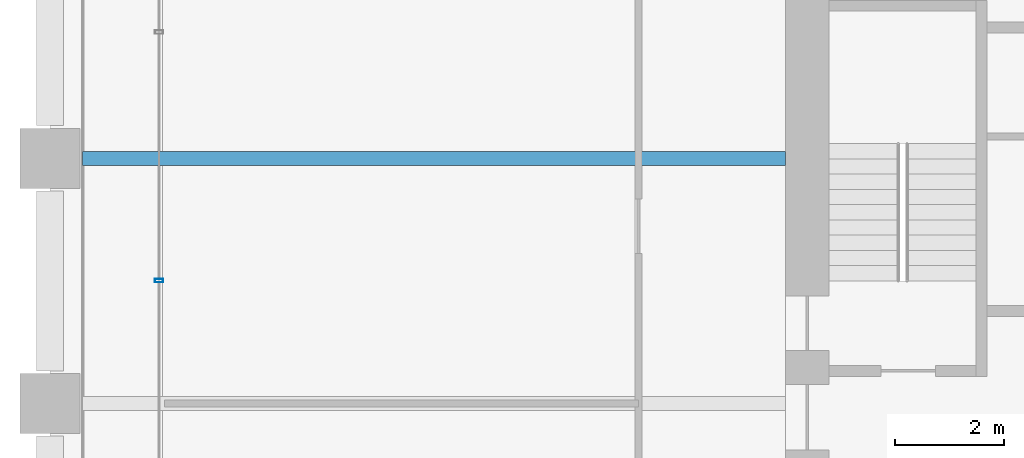
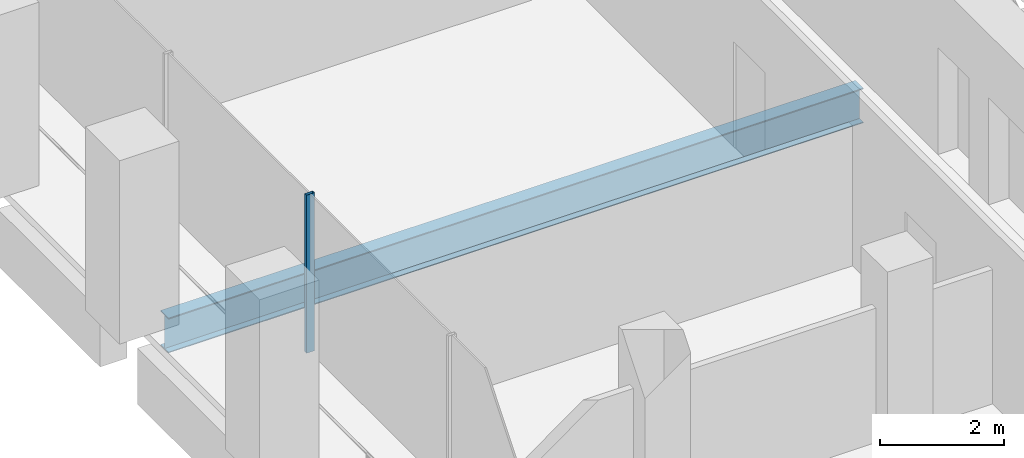
# One storey, part 11 of 55: 1 beam, 1 member, 1 element without a shape of its own.
"""IFC4 building model written with IfcOpenShell, lengths in metres."""

from ifc_helpers import new_model, si_unit, direction, frame, origin, origin_2d, place, context, subcontext, project, spatial, hollow_rectangle, i_section, extrude, material, material_profile, profile_set, type_object, element, aggregate, save


model = new_model("IFC4")

# Units and contexts
model_context = context("Model", 3, precision=1e-05, world=origin(), true_north=direction((0.0, 1.0)))
body_context = subcontext(model_context, "Body", "Model", "MODEL_VIEW")
ifc_project = project(units=[si_unit("LENGTHUNIT", "METRE"), si_unit("AREAUNIT", "SQUARE_METRE"), si_unit("VOLUMEUNIT", "CUBIC_METRE"), si_unit("PLANEANGLEUNIT", "RADIAN"), si_unit("MASSUNIT", "GRAM", prefix="KILO")], contexts=[model_context])

# Site, building, storey
site_placement = place(None, origin())
site = spatial("IfcSite", under=ifc_project, at=site_placement, CompositionType="ELEMENT")
building_placement = place(site_placement, origin())
building = spatial("IfcBuilding", under=site, at=building_placement, Name="Altepetl Exchange Towers", CompositionType="ELEMENT")
storey_placement = place(building_placement, frame((0.0, 0.0, 47.39990234375)))
storey = spatial("IfcBuildingStorey", under=building, at=storey_placement, Name="L10", CompositionType="ELEMENT", Elevation=47.39990234375)

# Beam
ifc_material_1 = material(Name="Steel S355", Category="steel")
ifc_material_profile_1 = material_profile(ifc_material_1, i_section(OverallWidth=0.25390625, OverallDepth=0.68408203125, WebThickness=0.012451171875, FlangeThickness=0.018798828125, at=origin_2d()), Name="W27X94")
ifc_profile_set_1 = profile_set([ifc_material_profile_1], Name="Steel S355")
beam_type = type_object("IfcBeamType", Name="Floor beam W27X94", PredefinedType="BEAM", material=ifc_profile_set_1)
beam_placement = place(storey_placement, frame((27.60009765625, 49.5, -0.491943359375), z_axis=(1.0, 0.0, 0.0), x_axis=(0.0, 1.0, 0.0)))
element("IfcBeam", 1, at=beam_placement, inside=storey, type_object=beam_type, Name="bm:A:L10:019", PredefinedType="BEAM", context=body_context, shape_type="SweptSolid", body=[
    extrude(i_section(OverallWidth=0.25390625, OverallDepth=0.68408203125, WebThickness=0.012451171875, FlangeThickness=0.018798828125, at=origin_2d()), origin(), (0.0, 0.0, 1.0), 12.89990234375),
])

# Curtain wall, member
ifc_material_2 = material(Name="Aluminium 6063-T6 glazing", Category="aluminium")
curtain_wall_type = type_object("IfcCurtainWallType", Name="Loggia glazing system", PredefinedType="NOTDEFINED", material=ifc_material_2)
curtain_wall_placement = place(storey_placement, origin())
curtain_wall = element("IfcCurtainWall", 2, at=curtain_wall_placement, inside=storey, type_object=curtain_wall_type, Name="CW1 run", PredefinedType="NOTDEFINED")
ifc_material_3 = material(Name="Aluminium 6063-T6", Category="aluminium")
ifc_material_profile_2 = material_profile(ifc_material_3, hollow_rectangle(XDim=0.06005859375, YDim=0.14990234375, WallThickness=0.0029296875, at=origin_2d()), Name="Mullion 60x150 aluminium")
ifc_profile_set_2 = profile_set([ifc_material_profile_2], Name="Aluminium 6063-T6")
member_type = type_object("IfcMemberType", Name="Mullion 60x150 aluminium", PredefinedType="MULLION", material=ifc_profile_set_2)
member_placement = place(storey_placement, frame((29.0, 47.257080078125, 0.0), z_axis=(0.0, 0.0, 1.0), x_axis=(0.0, -1.0, 0.0)))
member = element("IfcMember", 3, at=member_placement, type_object=member_type, Name="MU1 mullion", PredefinedType="MULLION", context=body_context, shape_type="SweptSolid", body=[
    extrude(hollow_rectangle(XDim=0.06005859375, YDim=0.14990234375, WallThickness=0.0029296875, at=origin_2d()), origin(), (0.0, 0.0, 1.0), 3.10009765625),
])
aggregate(curtain_wall, [member])

save(model, "model.ifc")
